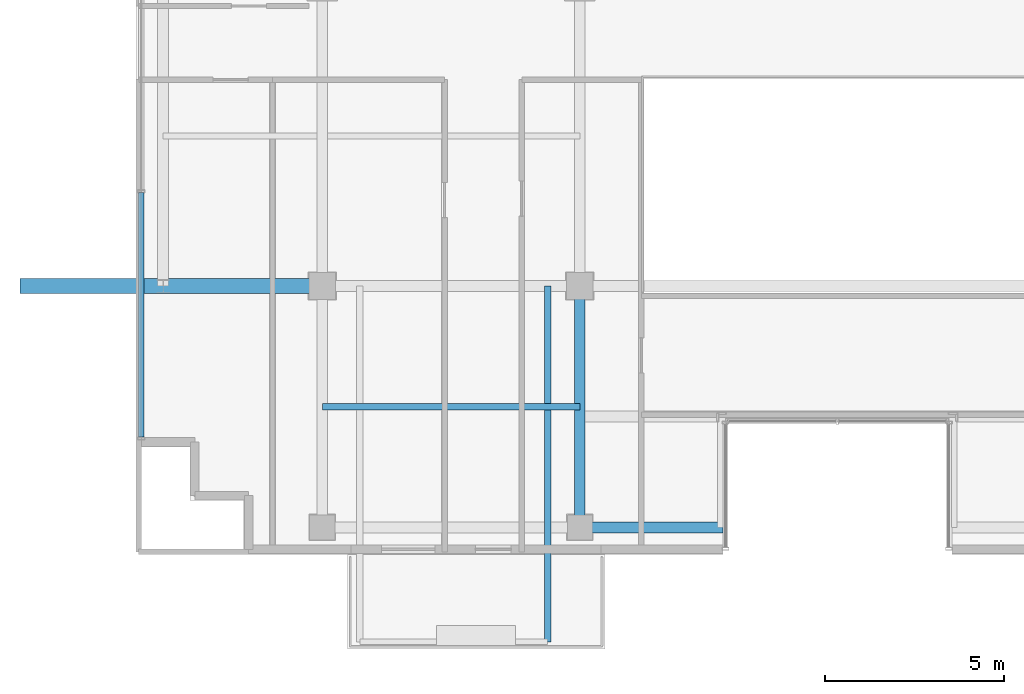
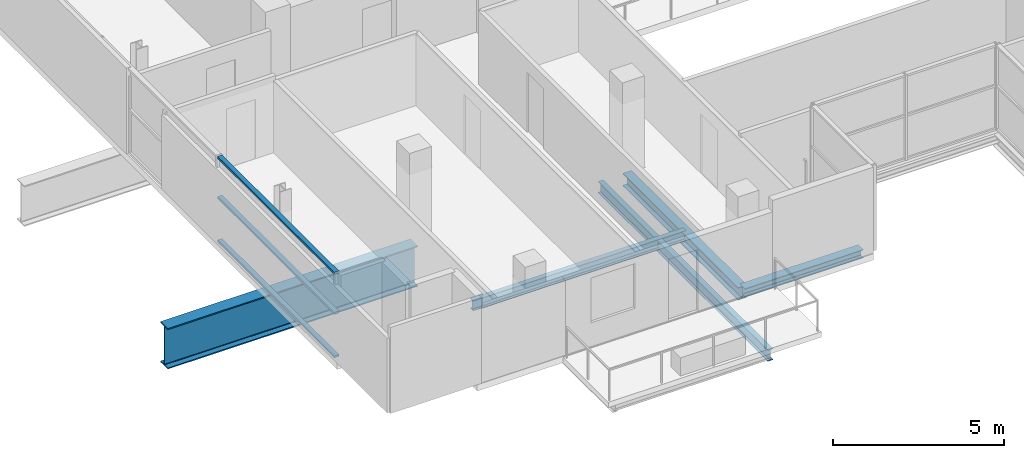
# One storey, part 3 of 23: 5 beams, 3 members, 1 element without a shape of its own.
"""IFC4 building model written with IfcOpenShell, lengths in metres."""

from ifc_helpers import new_model, si_unit, direction, frame, origin, origin_2d, place, context, subcontext, project, spatial, hollow_rectangle, i_section, extrude, source, transform, mapped, material, layer, layer_set, material_profile, profile_set, type_object, element, aggregate, save


model = new_model("IFC4")

# Units and contexts
model_context = context("Model", 3, precision=1e-05, world=origin(), true_north=direction((0.0, 1.0)))
body_context = subcontext(model_context, "Body", "Model", "MODEL_VIEW")
ifc_project = project(units=[si_unit("LENGTHUNIT", "METRE"), si_unit("AREAUNIT", "SQUARE_METRE"), si_unit("VOLUMEUNIT", "CUBIC_METRE"), si_unit("PLANEANGLEUNIT", "RADIAN"), si_unit("MASSUNIT", "GRAM", prefix="KILO")], contexts=[model_context])

# Site, building, storey
site_placement = place(None, origin())
site = spatial("IfcSite", under=ifc_project, at=site_placement, CompositionType="ELEMENT")
building_placement = place(site_placement, origin())
building = spatial("IfcBuilding", under=site, at=building_placement, Name="Zarnakvel Exchange Tower", CompositionType="ELEMENT")
storey_placement = place(building_placement, frame((0.0, 0.0, 232.0)))
storey = spatial("IfcBuildingStorey", under=building, at=storey_placement, Name="L65", CompositionType="ELEMENT", Elevation=232.0)

# Beams
ifc_material_1 = material(Name="Steel S355", Category="steel")
ifc_material_profile_1 = material_profile(ifc_material_1, i_section(OverallWidth=0.179931640625, OverallDepth=0.39990234375, WebThickness=0.008544921875, FlangeThickness=0.013427734375, FilletRadius=0.02099609375, at=origin_2d()))
ifc_profile_set_1 = profile_set([ifc_material_profile_1], Name="Steel S355")
beam_type_1 = type_object("IfcBeamType", Name="B-06", PredefinedType="JOIST", material=ifc_profile_set_1)
beam_1_placement = place(storey_placement, frame((-8.10009765625, -9.60009765625, -0.425048828125), z_axis=(0.0, -1.0, 0.0), x_axis=(1.0, 0.0, 0.0)))
element("IfcBeam", 1, at=beam_1_placement, inside=storey, type_object=beam_type_1, Name="L65 Continuous Back-Spanned Balcony Beam E", PredefinedType="JOIST", context=body_context, shape_type="SweptSolid", body=[
    extrude(i_section(OverallWidth=0.179931640625, OverallDepth=0.39990234375, WebThickness=0.008544921875, FlangeThickness=0.013427734375, FilletRadius=0.02099609375, at=origin_2d()), origin(), (0.0, 0.0, 1.0), 9.949951171875),
])
ifc_material_profile_2 = material_profile(ifc_material_1, i_section(OverallWidth=0.169921875, OverallDepth=0.360107421875, WebThickness=0.008056640625, FlangeThickness=0.0126953125, FilletRadius=0.01806640625, at=origin_2d()))
ifc_profile_set_2 = profile_set([ifc_material_profile_2], Name="Steel S355")
beam_type_2 = type_object("IfcBeamType", Name="B-07", PredefinedType="JOIST", material=ifc_profile_set_2)
beam_2_placement = place(storey_placement, frame((-14.39990234375, -12.97509765625, -0.405029296875), z_axis=(1.0, 0.0, 0.0), x_axis=(0.0, 1.0, 0.0)))
element("IfcBeam", 2, at=beam_2_placement, inside=storey, type_object=beam_type_2, Name="L65 Composite Floor Secondary Joist", PredefinedType="JOIST", context=body_context, shape_type="SweptSolid", body=[
    extrude(i_section(OverallWidth=0.169921875, OverallDepth=0.360107421875, WebThickness=0.008056640625, FlangeThickness=0.0126953125, FilletRadius=0.01806640625, at=origin_2d()), origin(), (0.0, 0.0, 1.0), 7.199951171875),
])
ifc_material_profile_3 = material_profile(ifc_material_1, i_section(OverallWidth=0.300048828125, OverallDepth=0.449951171875, WebThickness=0.013916015625, FlangeThickness=0.02587890625, FilletRadius=0.027099609375, at=origin_2d()))
ifc_profile_set_3 = profile_set([ifc_material_profile_3], Name="Steel S355")
beam_type_3 = type_object("IfcBeamType", Name="G-07", PredefinedType="BEAM", material=ifc_profile_set_3)
beam_3_placement = place(storey_placement, frame((-7.199951171875, -16.35009765625, -0.449951171875), z_axis=(0.0, 1.0, 0.0), x_axis=(-1.0, 0.0, 0.0)))
element("IfcBeam", 3, at=beam_3_placement, inside=storey, type_object=beam_type_3, Name="L65 Tower N-S Frame Beam", PredefinedType="BEAM", context=body_context, shape_type="SweptSolid", body=[
    extrude(i_section(OverallWidth=0.300048828125, OverallDepth=0.449951171875, WebThickness=0.013916015625, FlangeThickness=0.02587890625, FilletRadius=0.027099609375, at=origin_2d()), origin(), (0.0, 0.0, 1.0), 6.75),
])
ifc_material_profile_4 = material_profile(ifc_material_1, i_section(OverallWidth=0.300048828125, OverallDepth=0.300048828125, WebThickness=0.010986328125, FlangeThickness=0.01904296875, FilletRadius=0.027099609375, at=origin_2d()))
ifc_profile_set_4 = profile_set([ifc_material_profile_4], Name="Steel S355")
beam_type_4 = type_object("IfcBeamType", Name="SP-03", PredefinedType="SPANDREL", material=ifc_profile_set_4)
beam_4_placement = place(storey_placement, frame((-7.199951171875, -16.35009765625, -0.375), z_axis=(1.0, 0.0, 0.0), x_axis=(0.0, 1.0, 0.0)))
element("IfcBeam", 4, at=beam_4_placement, inside=storey, type_object=beam_type_4, Name="L65 South Slot West Jamb Spandrel", PredefinedType="SPANDREL", context=body_context, shape_type="SweptSolid", body=[
    extrude(i_section(OverallWidth=0.300048828125, OverallDepth=0.300048828125, WebThickness=0.010986328125, FlangeThickness=0.01904296875, FilletRadius=0.027099609375, at=origin_2d()), origin(), (0.0, 0.0, 1.0), 4.0),
])
ifc_material_2 = material(Name="Steel S460", Category="steel")
ifc_material_profile_5 = material_profile(ifc_material_2, i_section(OverallWidth=0.419921875, OverallDepth=1.449951171875, WebThickness=0.02392578125, FlangeThickness=0.0400390625, FilletRadius=0.030029296875, at=origin_2d()))
ifc_profile_set_5 = profile_set([ifc_material_profile_5], Name="Steel S460")
beam_type_5 = type_object("IfcBeamType", Name="TG-01", PredefinedType="BEAM", material=ifc_profile_set_5)
beam_5_placement = place(storey_placement, frame((-22.85009765625, -9.60009765625, -0.949951171875), z_axis=(1.0, 0.0, 0.0), x_axis=(0.0, 1.0, 0.0)))
element("IfcBeam", 5, at=beam_5_placement, inside=storey, type_object=beam_type_5, Name="L65 Setback E-W Transfer Girder TW-C", PredefinedType="BEAM", context=body_context, shape_type="SweptSolid", body=[
    extrude(i_section(OverallWidth=0.419921875, OverallDepth=1.449951171875, WebThickness=0.02392578125, FlangeThickness=0.0400390625, FilletRadius=0.030029296875, at=origin_2d()), origin(), (0.0, 0.0, 1.0), 8.4501953125),
])

# Curtain wall, members
ifc_material_3 = material(Name="Architectural Bronze Anodised Aluminium", Category="aluminium")
ifc_layer = layer(ifc_material_3, 0.199951171875)
ifc_layer_set = layer_set([ifc_layer], Name="Architectural Bronze Anodised Aluminium")
curtain_wall_type = type_object("IfcCurtainWallType", Name="CW-04", PredefinedType="NOTDEFINED", material=ifc_layer_set)
curtain_wall_placement = place(storey_placement, origin())
curtain_wall = element("IfcCurtainWall", 6, at=curtain_wall_placement, inside=storey, type_object=curtain_wall_type, Name="L65 Curtain Wall CW-L65-W1 (CW-04)", PredefinedType="NOTDEFINED")
ifc_material_profile_6 = material_profile(ifc_material_3, hollow_rectangle(XDim=0.159912109375, YDim=0.074951171875, WallThickness=0.00390625, at=origin_2d()))
ifc_profile_set_6 = profile_set([ifc_material_profile_6], Name="Architectural Bronze Anodised Aluminium")
member_type = type_object("IfcMemberType", Name="CWT-04", PredefinedType="USERDEFINED", material=ifc_profile_set_6)
shared_shape = source(origin(), body_context, "Body", "SweptSolid", [
    extrude(hollow_rectangle(XDim=0.159912109375, YDim=0.074951171875, WallThickness=0.00390625, at=origin_2d()), origin(), (0.0, 0.0, 1.0), 6.83740234375),
])
member_1_placement = place(storey_placement, frame((-19.4599609375, -13.824951171875, 0.03759765625), z_axis=(0.0, 1.0, 0.0), x_axis=(-1.0, 0.0, 0.0)))
member_1 = element("IfcMember", 7, at=member_1_placement, type_object=member_type, Name="CW-04 transom 1.1", ObjectType="TRANSOM", PredefinedType="USERDEFINED", context=body_context, shape_type="MappedRepresentation", body=[
    mapped(shared_shape, transform((0.0, 0.0, 0.0), x_axis=(1.0, 0.0, 0.0), y_axis=(0.0, 1.0, 0.0), z_axis=(0.0, 0.0, 1.0), scale=1.0)),
])
member_2_placement = place(storey_placement, frame((-19.4599609375, -13.824951171875, 1.588623046875), z_axis=(0.0, 1.0, 0.0), x_axis=(-1.0, 0.0, 0.0)))
member_2 = element("IfcMember", 8, at=member_2_placement, type_object=member_type, Name="CW-04 transom 1.2", ObjectType="TRANSOM", PredefinedType="USERDEFINED", context=body_context, shape_type="MappedRepresentation", body=[
    mapped(shared_shape, transform((0.0, 0.0, 0.0), x_axis=(1.0, 0.0, 0.0), y_axis=(0.0, 1.0, 0.0), z_axis=(0.0, 0.0, 1.0), scale=1.0)),
])
member_3_placement = place(storey_placement, frame((-19.4599609375, -13.824951171875, 3.017578125), z_axis=(0.0, 1.0, 0.0), x_axis=(-1.0, 0.0, 0.0)))
member_3 = element("IfcMember", 9, at=member_3_placement, type_object=member_type, Name="CW-04 transom 1.3", ObjectType="TRANSOM", PredefinedType="USERDEFINED", context=body_context, shape_type="MappedRepresentation", body=[
    mapped(shared_shape, transform((0.0, 0.0, 0.0), x_axis=(1.0, 0.0, 0.0), y_axis=(0.0, 1.0, 0.0), z_axis=(0.0, 0.0, 1.0), scale=1.0)),
])
aggregate(curtain_wall, [member_1, member_2, member_3])

save(model, "model.ifc")
